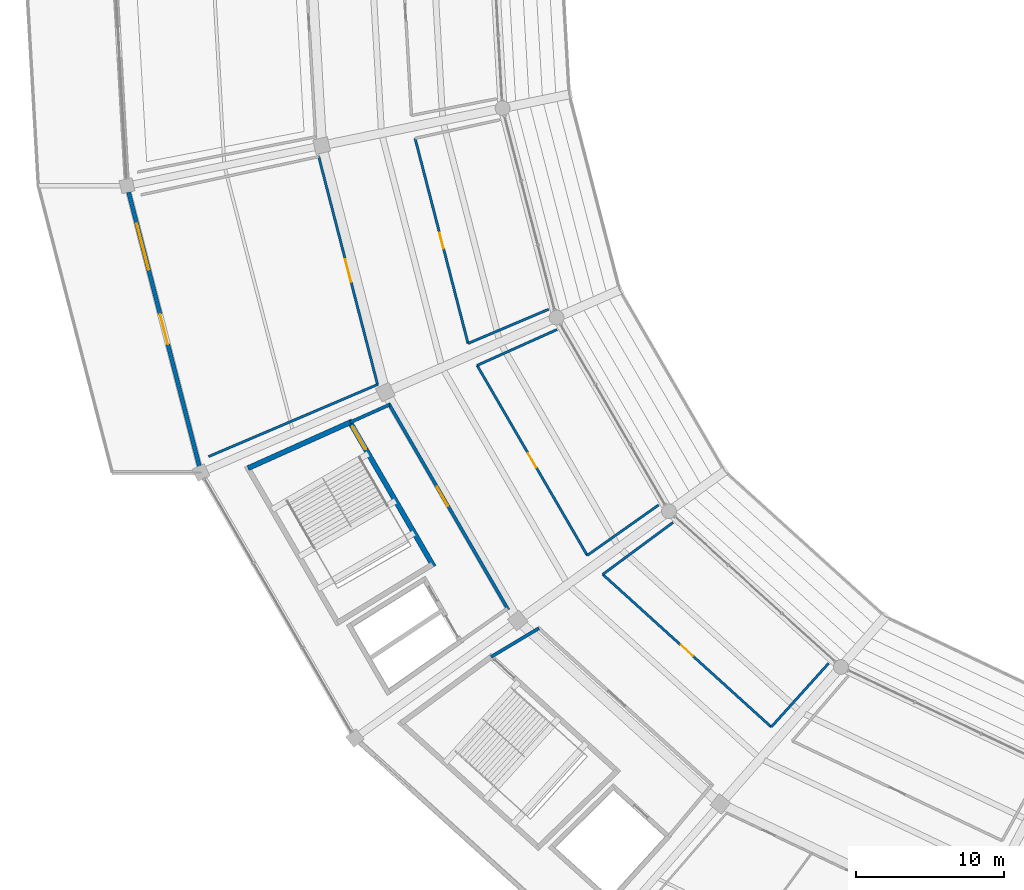
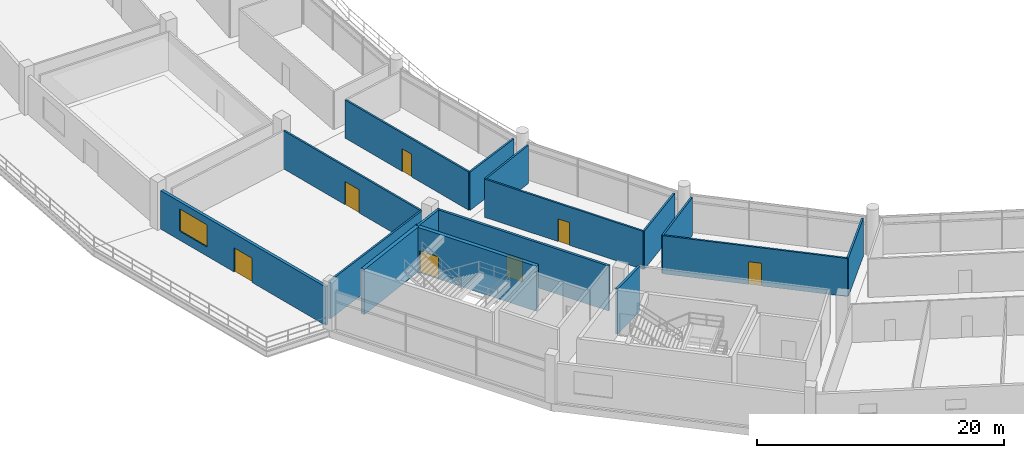
# One storey, part 129 of 171: 16 walls, 7 doors, 1 window, 8 openings.
"""IFC4 building model written with IfcOpenShell, lengths in metres."""

from ifc_helpers import new_model, si_unit, direction, frame, frame_2d, origin, place, context, subcontext, project, spatial, rectangle, extrude, material, layer, layer_set, type_object, element, fill, save


model = new_model("IFC4")

# Units and contexts
model_context = context("Model", 3, precision=1e-05, world=origin(), true_north=direction((0.0, 1.0)))
body_context = subcontext(model_context, "Body", "Model", "MODEL_VIEW")
ifc_project = project(units=[si_unit("LENGTHUNIT", "METRE"), si_unit("AREAUNIT", "SQUARE_METRE"), si_unit("VOLUMEUNIT", "CUBIC_METRE"), si_unit("PLANEANGLEUNIT", "RADIAN"), si_unit("MASSUNIT", "GRAM", prefix="KILO")], contexts=[model_context])

# Site, building, storey
site_placement = place(None, origin())
site = spatial("IfcSite", under=ifc_project, at=site_placement, CompositionType="ELEMENT")
building_placement = place(site_placement, origin())
building = spatial("IfcBuilding", under=site, at=building_placement, Name="Kazemori Nagisa Stadium", CompositionType="ELEMENT")
storey_placement = place(building_placement, frame((0.0, 0.0, 15.639892578125)))
storey = spatial("IfcBuildingStorey", under=building, at=storey_placement, Name="L03", CompositionType="ELEMENT", Elevation=15.639892578125)

# Wall, opening, door
ifc_material_1 = material(Name="Concrete C40/50 (Fc42)", Category="concrete")
ifc_layer_1 = layer(ifc_material_1, 0.35009765625, Name="Concrete C40/50 (Fc42)", Category="concrete")
ifc_layer_set_1 = layer_set([ifc_layer_1], Name="Concrete C40/50 (Fc42)")
wall_type_1 = type_object("IfcWallType", Name="Wall_W-CORE-350", PredefinedType="SHEAR", material=ifc_layer_set_1)
wall_1_placement = place(storey_placement, frame((44.090087890625, 66.78759765625, 0.0), z_axis=(0.0, 0.0, 1.0), x_axis=(0.501628624814, -0.865083072755, 0.0)))
wall_1 = element("IfcWall", 1, at=wall_1_placement, inside=storey, type_object=wall_type_1, Name="Core stair front shear wall ST09 L03", PredefinedType="SHEAR", context=body_context, shape_type="SweptSolid", body=[
    extrude(rectangle(XDim=11.435302734375, YDim=0.35009765625, at=frame_2d((5.7177734375, 0.0))), origin(), (0.0, 0.0, 1.0), 4.460205078125),
])
opening_1_placement = place(wall_1_placement, frame((0.47509765625, 0.0, 0.0)))
opening_1 = element("IfcOpeningElement", 2, at=opening_1_placement, cuts=wall_1, Name="Opening D-ST-1800", PredefinedType="OPENING", context=body_context, shape_type="SweptSolid", body=[
    extrude(rectangle(XDim=1.800048828125, YDim=2.199951171875, at=frame_2d((0.89990234375, 1.10009765625))), frame((0.0, 0.18505859375, 0.0), z_axis=(0.0, -1.0, 0.0), x_axis=(1.0, 0.0, 0.0)), (0.0, 0.0, 1.0), 0.3701171875),
])
ifc_material_2 = material(Name="Galvanised steel sheet", Category="steel")
door_type_1 = type_object("IfcDoorType", Name="Door_D-ST-1800", OperationType="NOTDEFINED", PredefinedType="DOOR", material=ifc_material_2)
door_1_placement = place(opening_1_placement, frame((1.800048828125, 0.0, 0.0), z_axis=(0.0, 0.0, 1.0), x_axis=(-1.0, 0.0, 0.0)))
door_1 = element("IfcDoor", 3, at=door_1_placement, inside=storey, type_object=door_type_1, Name="Exit stair fire door ST09-L03", OperationType="SINGLE_SWING_RIGHT", OverallHeight=2.199951171875, OverallWidth=1.800048828125, PredefinedType="DOOR", context=body_context, shape_type="SweptSolid", body=[
    extrude(rectangle(XDim=1.800048828125, YDim=2.199951171875, at=frame_2d((0.89990234375, 1.10009765625))), frame((0.0, 0.02490234375, 0.0), z_axis=(0.0, -1.0, 0.0), x_axis=(1.0, 0.0, 0.0)), (0.0, 0.0, 1.0), 0.050048828125),
])
fill(opening_1, door_1)

# Wall
wall_2_placement = place(storey_placement, frame((44.177978515625, 66.63623046875, 0.0), z_axis=(0.0, 0.0, 1.0), x_axis=(-0.912385324524, -0.409332407212, 0.0)))
element("IfcWall", 4, at=wall_2_placement, inside=storey, type_object=wall_type_1, Name="Core stair left shear wall ST09 L03", PredefinedType="SHEAR", context=body_context, shape_type="SweptSolid", body=[
    extrude(rectangle(XDim=7.554443359375, YDim=0.35009765625, at=frame_2d((3.77734375, 0.0))), origin(), (0.0, 0.0, 1.0), 4.460205078125),
])

# Wall, openings, door, window
ifc_material_3 = material(Name="Concrete C40/50 (Fc42) precast", Category="concrete")
ifc_layer_2 = layer(ifc_material_3, 0.27490234375, Name="Concrete C40/50 (Fc42) precast", Category="concrete")
ifc_layer_set_2 = layer_set([ifc_layer_2], Name="Concrete C40/50 (Fc42) precast")
wall_type_2 = type_object("IfcWallType", Name="Wall_W-EXT-275", PredefinedType="SOLIDWALL", material=ifc_layer_set_2)
wall_3_placement = place(storey_placement, frame((29.229248046875, 82.17626953125, 0.0), z_axis=(0.0, 0.0, 1.0), x_axis=(0.2499638116, -0.968255179635, 0.0)))
wall_3 = element("IfcWall", 5, at=wall_3_placement, inside=storey, type_object=wall_type_2, Name="Exterior facade wall L03-16", PredefinedType="SOLIDWALL", context=body_context, shape_type="SweptSolid", body=[
    extrude(rectangle(XDim=19.106201171875, YDim=0.27490234375, at=frame_2d((9.55322265625, 0.0))), origin(), (0.0, 0.0, 1.0), 3.81005859375),
])
opening_2_placement = place(wall_3_placement, frame((8.5029296875, 0.0, 0.0)))
opening_2 = element("IfcOpeningElement", 6, at=opening_2_placement, cuts=wall_3, Name="Opening D-TERR-2100", PredefinedType="OPENING", context=body_context, shape_type="SweptSolid", body=[
    extrude(rectangle(XDim=2.10009765625, YDim=2.39990234375, at=frame_2d((1.050048828125, 1.199951171875))), frame((0.0, 0.1474609375, 0.0), z_axis=(0.0, -1.0, 0.0), x_axis=(1.0, 0.0, 0.0)), (0.0, 0.0, 1.0), 0.294921875),
])
opening_3_placement = place(wall_3_placement, frame((2.199951171875, 0.0, 0.89990234375)))
opening_3 = element("IfcOpeningElement", 7, at=opening_3_placement, cuts=wall_3, Name="Opening WIN-L03-3200", PredefinedType="OPENING", context=body_context, shape_type="SweptSolid", body=[
    extrude(rectangle(XDim=3.199951171875, YDim=2.199951171875, at=frame_2d((1.60009765625, 1.10009765625))), frame((0.0, 0.1474609375, 0.0), z_axis=(0.0, -1.0, 0.0), x_axis=(1.0, 0.0, 0.0)), (0.0, 0.0, 1.0), 0.294921875),
])
ifc_material_4 = material(Name="Anodised aluminium 6063-T5", Category="aluminium")
door_type_2 = type_object("IfcDoorType", Name="Door_D-TERR-2100", OperationType="NOTDEFINED", PredefinedType="DOOR", material=ifc_material_4)
door_2_placement = place(opening_2_placement, frame((2.10009765625, 0.0, 0.0), z_axis=(0.0, 0.0, 1.0), x_axis=(-1.0, 0.0, 0.0)))
door_2 = element("IfcDoor", 8, at=door_2_placement, inside=storey, type_object=door_type_2, Name="Boulevard club terrace door TD-16", OperationType="DOUBLE_DOOR_SINGLE_SWING", OverallHeight=2.39990234375, OverallWidth=2.10009765625, PredefinedType="DOOR", context=body_context, shape_type="SweptSolid", body=[
    extrude(rectangle(XDim=2.10009765625, YDim=2.39990234375, at=frame_2d((1.050048828125, 1.199951171875))), frame((0.0, 0.02490234375, 0.0), z_axis=(0.0, -1.0, 0.0), x_axis=(1.0, 0.0, 0.0)), (0.0, 0.0, 1.0), 0.050048828125),
])
fill(opening_2, door_2)
ifc_material_5 = material(Name="Low-e laminated double glazing", Category="glass")
window_type = type_object("IfcWindowType", Name="Window_WIN-L03-3200", PartitioningType="SINGLE_PANEL", PredefinedType="WINDOW", material=ifc_material_5)
window_placement = place(opening_3_placement, origin())
window = element("IfcWindow", 9, at=window_placement, inside=storey, type_object=window_type, Name="Club lounge window L03-16", OverallHeight=2.199951171875, OverallWidth=3.199951171875, PartitioningType="SINGLE_PANEL", PredefinedType="WINDOW", context=body_context, shape_type="SweptSolid", body=[
    extrude(rectangle(XDim=3.199951171875, YDim=2.199951171875, at=frame_2d((1.60009765625, 1.10009765625))), frame((0.0, 0.030029296875, 0.0), z_axis=(0.0, -1.0, 0.0), x_axis=(1.0, 0.0, 0.0)), (0.0, 0.0, 1.0), 0.06005859375),
])
fill(opening_3, window)

# Wall, opening, door
ifc_material_6 = material(Name="Concrete C36/45 (Fc36)", Category="concrete")
ifc_layer_3 = layer(ifc_material_6, 0.219970703125, Name="Concrete C36/45 (Fc36)", Category="concrete")
ifc_layer_set_3 = layer_set([ifc_layer_3], Name="Concrete C36/45 (Fc36)")
wall_type_3 = type_object("IfcWallType", Name="Wall_W-LOBBY-220", PredefinedType="SOLIDWALL", material=ifc_layer_set_3)
wall_4_placement = place(storey_placement, frame((46.773681640625, 67.9208984375, 0.0), z_axis=(0.0, 0.0, 1.0), x_axis=(0.501612626242, -0.865092349518, 0.0)))
wall_4 = element("IfcWall", 10, at=wall_4_placement, inside=storey, type_object=wall_type_3, Name="Core lobby fire wall ST09 L03", PredefinedType="SOLIDWALL", context=body_context, shape_type="SweptSolid", body=[
    extrude(rectangle(XDim=16.110107421875, YDim=0.219970703125, at=frame_2d((8.05517578125, 0.0))), origin(), (0.0, 0.0, 1.0), 4.460205078125),
])
opening_4_placement = place(wall_4_placement, frame((6.510986328125, 0.0, 0.0)))
opening_4 = element("IfcOpeningElement", 11, at=opening_4_placement, cuts=wall_4, Name="Opening D-FFL-1500", PredefinedType="OPENING", context=body_context, shape_type="SweptSolid", body=[
    extrude(rectangle(XDim=1.5, YDim=2.199951171875, at=frame_2d((0.75, 1.10009765625))), frame((0.0, 0.119873046875, 0.0), z_axis=(0.0, -1.0, 0.0), x_axis=(1.0, 0.0, 0.0)), (0.0, 0.0, 1.0), 0.239990234375),
])
door_type_3 = type_object("IfcDoorType", Name="Door_D-FFL-1500", OperationType="NOTDEFINED", PredefinedType="DOOR", material=ifc_material_2)
door_3_placement = place(opening_4_placement, frame((1.5, 0.0, 0.0), z_axis=(0.0, 0.0, 1.0), x_axis=(-1.0, 0.0, 0.0)))
door_3 = element("IfcDoor", 12, at=door_3_placement, inside=storey, type_object=door_type_3, Name="Protected lobby fire door ST09-L03", OperationType="DOUBLE_DOOR_SINGLE_SWING", OverallHeight=2.199951171875, OverallWidth=1.5, PredefinedType="DOOR", context=body_context, shape_type="SweptSolid", body=[
    extrude(rectangle(XDim=1.5, YDim=2.199951171875, at=frame_2d((0.75, 1.10009765625))), frame((0.0, 0.02490234375, 0.0), z_axis=(0.0, -1.0, 0.0), x_axis=(1.0, 0.0, 0.0)), (0.0, 0.0, 1.0), 0.050048828125),
])
fill(opening_4, door_3)

# Walls
wall_5_placement = place(storey_placement, frame((46.8291015625, 67.82568359375, 0.0), z_axis=(0.0, 0.0, 1.0), x_axis=(-0.912378422162, -0.409347791949, 0.0)))
element("IfcWall", 13, at=wall_5_placement, inside=storey, type_object=wall_type_3, Name="Core lobby left wall ST09 L03", PredefinedType="SOLIDWALL", context=body_context, shape_type="SweptSolid", body=[
    extrude(rectangle(XDim=2.90576171875, YDim=0.219970703125, at=frame_2d((1.452880859375, 0.0))), origin(), (0.0, 0.0, 1.0), 4.460205078125),
])
wall_6_placement = place(storey_placement, frame((56.915283203125, 52.74560546875, 0.0), z_axis=(0.0, 0.0, 1.0), x_axis=(-0.857424171966, -0.514610327654, 0.0)))
element("IfcWall", 14, at=wall_6_placement, inside=storey, type_object=wall_type_3, Name="Core lobby left wall ST03 L03", PredefinedType="SOLIDWALL", context=body_context, shape_type="SweptSolid", body=[
    extrude(rectangle(XDim=3.76025390625, YDim=0.219970703125, at=frame_2d((1.880126953125, 0.0))), origin(), (0.0, 0.0, 1.0), 4.460205078125),
])

# Wall, opening, door
ifc_material_7 = material(Name="Gypsum plasterboard", Category="gypsum")
ifc_layer_4 = layer(ifc_material_7, 0.1650390625, Name="Gypsum plasterboard", Category="gypsum")
ifc_layer_set_4 = layer_set([ifc_layer_4], Name="Gypsum plasterboard")
wall_type_4 = type_object("IfcWallType", Name="Wall_W-PART-165", PredefinedType="PARTITIONING", material=ifc_layer_set_4)
wall_7_placement = place(storey_placement, frame((42.0595703125, 84.571533203125, 0.0), z_axis=(0.0, 0.0, 1.0), x_axis=(0.249970043824, -0.968253570709, 0.0)))
wall_7 = element("IfcWall", 15, at=wall_7_placement, inside=storey, type_object=wall_type_4, Name="Room corridor partition L03-B16", PredefinedType="PARTITIONING", context=body_context, shape_type="SweptSolid", body=[
    extrude(rectangle(XDim=15.88671875, YDim=0.1650390625, at=frame_2d((7.943359375, 0.0))), origin(), (0.0, 0.0, 1.0), 3.780029296875),
])
opening_5_placement = place(wall_7_placement, frame((7.14306640625, 0.0, 0.0)))
opening_5 = element("IfcOpeningElement", 16, at=opening_5_placement, cuts=wall_7, Name="Opening D-LNG-1600", PredefinedType="OPENING", context=body_context, shape_type="SweptSolid", body=[
    extrude(rectangle(XDim=1.60009765625, YDim=2.300048828125, at=frame_2d((0.800048828125, 1.14990234375))), frame((0.0, 0.092529296875, 0.0), z_axis=(0.0, -1.0, 0.0), x_axis=(1.0, 0.0, 0.0)), (0.0, 0.0, 1.0), 0.18505859375),
])
door_type_4 = type_object("IfcDoorType", Name="Door_D-LNG-1600", OperationType="NOTDEFINED", PredefinedType="DOOR", material=ifc_material_4)
door_4_placement = place(opening_5_placement, origin())
door_4 = element("IfcDoor", 17, at=door_4_placement, inside=storey, type_object=door_type_4, Name="Room entrance door D-LNG-1600 L03-B16", OperationType="DOUBLE_DOOR_SINGLE_SWING", OverallHeight=2.300048828125, OverallWidth=1.60009765625, PredefinedType="DOOR", context=body_context, shape_type="SweptSolid", body=[
    extrude(rectangle(XDim=1.60009765625, YDim=2.300048828125, at=frame_2d((0.800048828125, 1.14990234375))), frame((0.0, 0.02490234375, 0.0), z_axis=(0.0, -1.0, 0.0), x_axis=(1.0, 0.0, 0.0)), (0.0, 0.0, 1.0), 0.050048828125),
])
fill(opening_5, door_4)

# Wall
wall_8_placement = place(storey_placement, frame((46.03076171875, 69.189208984375, 0.0), z_axis=(0.0, 0.0, 1.0), x_axis=(-0.919905328402, -0.392140519173, 0.0)))
element("IfcWall", 18, at=wall_8_placement, inside=storey, type_object=wall_type_4, Name="Room radial partition L03-B16-R", PredefinedType="PARTITIONING", context=body_context, shape_type="SweptSolid", body=[
    extrude(rectangle(XDim=12.395751953125, YDim=0.1650390625, at=frame_2d((6.19775390625, 0.0))), origin(), (0.0, 0.0, 1.0), 3.780029296875),
])

# Wall, opening, door
wall_9_placement = place(storey_placement, frame((48.563232421875, 85.8095703125, 0.0), z_axis=(0.0, 0.0, 1.0), x_axis=(0.24997612238, -0.968252001413, 0.0)))
wall_9 = element("IfcWall", 19, at=wall_9_placement, inside=storey, type_object=wall_type_4, Name="Bowl hospitality suite partition L03-B16", PredefinedType="PARTITIONING", context=body_context, shape_type="SweptSolid", body=[
    extrude(rectangle(XDim=14.30029296875, YDim=0.1650390625, at=frame_2d((7.150146484375, 0.0))), origin(), (0.0, 0.0, 1.0), 3.780029296875),
])
opening_6_placement = place(wall_9_placement, frame((6.60009765625, 0.0, 0.0)))
opening_6 = element("IfcOpeningElement", 20, at=opening_6_placement, cuts=wall_9, Name="Opening D-SUI-1100", PredefinedType="OPENING", context=body_context, shape_type="SweptSolid", body=[
    extrude(rectangle(XDim=1.10009765625, YDim=2.25, at=frame_2d((0.550048828125, 1.125))), frame((0.0, 0.092529296875, 0.0), z_axis=(0.0, -1.0, 0.0), x_axis=(1.0, 0.0, 0.0)), (0.0, 0.0, 1.0), 0.18505859375),
])
ifc_material_8 = material(Name="Oak timber veneer", Category="wood")
door_type_5 = type_object("IfcDoorType", Name="Door_D-SUI-1100", OperationType="NOTDEFINED", PredefinedType="DOOR", material=ifc_material_8)
door_5_placement = place(opening_6_placement, origin())
door_5 = element("IfcDoor", 21, at=door_5_placement, inside=storey, type_object=door_type_5, Name="Bowl hospitality suite door L03-B16", OperationType="SINGLE_SWING_RIGHT", OverallHeight=2.25, OverallWidth=1.10009765625, PredefinedType="DOOR", context=body_context, shape_type="SweptSolid", body=[
    extrude(rectangle(XDim=1.10009765625, YDim=2.25, at=frame_2d((0.550048828125, 1.125))), frame((0.0, 0.02490234375, 0.0), z_axis=(0.0, -1.0, 0.0), x_axis=(1.0, 0.0, 0.0)), (0.0, 0.0, 1.0), 0.050048828125),
])
fill(opening_6, door_5)

# Wall
wall_10_placement = place(storey_placement, frame((52.137939453125, 71.96337890625, 0.0), z_axis=(0.0, 0.0, 1.0), x_axis=(0.920705147611, 0.390258928357, 0.0)))
element("IfcWall", 22, at=wall_10_placement, inside=storey, type_object=wall_type_4, Name="Bowl hospitality suite divider L03-B16R", PredefinedType="PARTITIONING", context=body_context, shape_type="SweptSolid", body=[
    extrude(rectangle(XDim=5.905517578125, YDim=0.1650390625, at=frame_2d((2.95263671875, 0.0))), origin(), (0.0, 0.0, 1.0), 3.780029296875),
])

# Wall, opening, door
wall_11_placement = place(storey_placement, frame((52.74951171875, 70.48193359375, 0.0), z_axis=(0.0, 0.0, 1.0), x_axis=(0.501600484117, -0.865099389859, 0.0)))
wall_11 = element("IfcWall", 23, at=wall_11_placement, inside=storey, type_object=wall_type_4, Name="Bowl hospitality suite partition L03-B17", PredefinedType="PARTITIONING", context=body_context, shape_type="SweptSolid", body=[
    extrude(rectangle(XDim=14.81982421875, YDim=0.1650390625, at=frame_2d((7.409912109375, 0.0))), origin(), (0.0, 0.0, 1.0), 3.780029296875),
])
opening_7_placement = place(wall_11_placement, frame((6.860107421875, 0.0, 0.0)))
opening_7 = element("IfcOpeningElement", 24, at=opening_7_placement, cuts=wall_11, Name="Opening D-SUI-1100", PredefinedType="OPENING", context=body_context, shape_type="SweptSolid", body=[
    extrude(rectangle(XDim=1.10009765625, YDim=2.25, at=frame_2d((0.550048828125, 1.125))), frame((0.0, 0.092529296875, 0.0), z_axis=(0.0, -1.0, 0.0), x_axis=(1.0, 0.0, 0.0)), (0.0, 0.0, 1.0), 0.18505859375),
])
door_6_placement = place(opening_7_placement, origin())
door_6 = element("IfcDoor", 25, at=door_6_placement, inside=storey, type_object=door_type_5, Name="Bowl hospitality suite door L03-B17", OperationType="SINGLE_SWING_LEFT", OverallHeight=2.25, OverallWidth=1.10009765625, PredefinedType="DOOR", context=body_context, shape_type="SweptSolid", body=[
    extrude(rectangle(XDim=1.10009765625, YDim=2.25, at=frame_2d((0.550048828125, 1.125))), frame((0.0, 0.02490234375, 0.0), z_axis=(0.0, -1.0, 0.0), x_axis=(1.0, 0.0, 0.0)), (0.0, 0.0, 1.0), 0.050048828125),
])
fill(opening_7, door_6)

# Walls
wall_12_placement = place(storey_placement, frame((52.74951171875, 70.48193359375, 0.0), z_axis=(0.0, 0.0, 1.0), x_axis=(0.912386411317, 0.409329984785, 0.0)))
element("IfcWall", 26, at=wall_12_placement, inside=storey, type_object=wall_type_4, Name="Bowl hospitality suite divider L03-B17L", PredefinedType="PARTITIONING", context=body_context, shape_type="SweptSolid", body=[
    extrude(rectangle(XDim=5.90771484375, YDim=0.1650390625, at=frame_2d((2.953857421875, 0.0))), origin(), (0.0, 0.0, 1.0), 3.780029296875),
])
wall_13_placement = place(storey_placement, frame((60.18310546875, 57.661376953125, 0.0), z_axis=(0.0, 0.0, 1.0), x_axis=(0.816991945923, 0.576649078987, 0.0)))
element("IfcWall", 27, at=wall_13_placement, inside=storey, type_object=wall_type_4, Name="Bowl hospitality suite divider L03-B17R", PredefinedType="PARTITIONING", context=body_context, shape_type="SweptSolid", body=[
    extrude(rectangle(XDim=5.899658203125, YDim=0.1650390625, at=frame_2d((2.94970703125, 0.0))), origin(), (0.0, 0.0, 1.0), 3.780029296875),
])

# Wall, opening, door
wall_14_placement = place(storey_placement, frame((61.22802734375, 56.377197265625, 0.0), z_axis=(0.0, 0.0, 1.0), x_axis=(0.741351792112, -0.671116622006, 0.0)))
wall_14 = element("IfcWall", 28, at=wall_14_placement, inside=storey, type_object=wall_type_4, Name="Bowl hospitality suite partition L03-B18", PredefinedType="PARTITIONING", context=body_context, shape_type="SweptSolid", body=[
    extrude(rectangle(XDim=15.34326171875, YDim=0.1650390625, at=frame_2d((7.671630859375, 0.0))), origin(), (0.0, 0.0, 1.0), 3.780029296875),
])
opening_8_placement = place(wall_14_placement, frame((7.1220703125, 0.0, 0.0)))
opening_8 = element("IfcOpeningElement", 29, at=opening_8_placement, cuts=wall_14, Name="Opening D-SUI-1100", PredefinedType="OPENING", context=body_context, shape_type="SweptSolid", body=[
    extrude(rectangle(XDim=1.10009765625, YDim=2.25, at=frame_2d((0.550048828125, 1.125))), frame((0.0, 0.092529296875, 0.0), z_axis=(0.0, -1.0, 0.0), x_axis=(1.0, 0.0, 0.0)), (0.0, 0.0, 1.0), 0.18505859375),
])
door_7_placement = place(opening_8_placement, origin())
door_7 = element("IfcDoor", 30, at=door_7_placement, inside=storey, type_object=door_type_5, Name="Bowl hospitality suite door L03-B18", OperationType="SINGLE_SWING_RIGHT", OverallHeight=2.25, OverallWidth=1.10009765625, PredefinedType="DOOR", context=body_context, shape_type="SweptSolid", body=[
    extrude(rectangle(XDim=1.10009765625, YDim=2.25, at=frame_2d((0.550048828125, 1.125))), frame((0.0, 0.02490234375, 0.0), z_axis=(0.0, -1.0, 0.0), x_axis=(1.0, 0.0, 0.0)), (0.0, 0.0, 1.0), 0.050048828125),
])
fill(opening_8, door_7)

# Walls
wall_15_placement = place(storey_placement, frame((61.22802734375, 56.377197265625, 0.0), z_axis=(0.0, 0.0, 1.0), x_axis=(0.804403413526, 0.594083452309, 0.0)))
element("IfcWall", 31, at=wall_15_placement, inside=storey, type_object=wall_type_4, Name="Bowl hospitality suite divider L03-B18L", PredefinedType="PARTITIONING", context=body_context, shape_type="SweptSolid", body=[
    extrude(rectangle(XDim=5.892333984375, YDim=0.1650390625, at=frame_2d((2.9462890625, 0.0))), origin(), (0.0, 0.0, 1.0), 3.780029296875),
])
wall_16_placement = place(storey_placement, frame((72.602783203125, 46.080078125, 0.0), z_axis=(0.0, 0.0, 1.0), x_axis=(0.669466645314, 0.742842117015, 0.0)))
element("IfcWall", 32, at=wall_16_placement, inside=storey, type_object=wall_type_4, Name="Bowl hospitality suite divider L03-B18R", PredefinedType="PARTITIONING", context=body_context, shape_type="SweptSolid", body=[
    extrude(rectangle(XDim=5.776123046875, YDim=0.1650390625, at=frame_2d((2.88818359375, 0.0))), origin(), (0.0, 0.0, 1.0), 3.780029296875),
])

save(model, "model.ifc")
